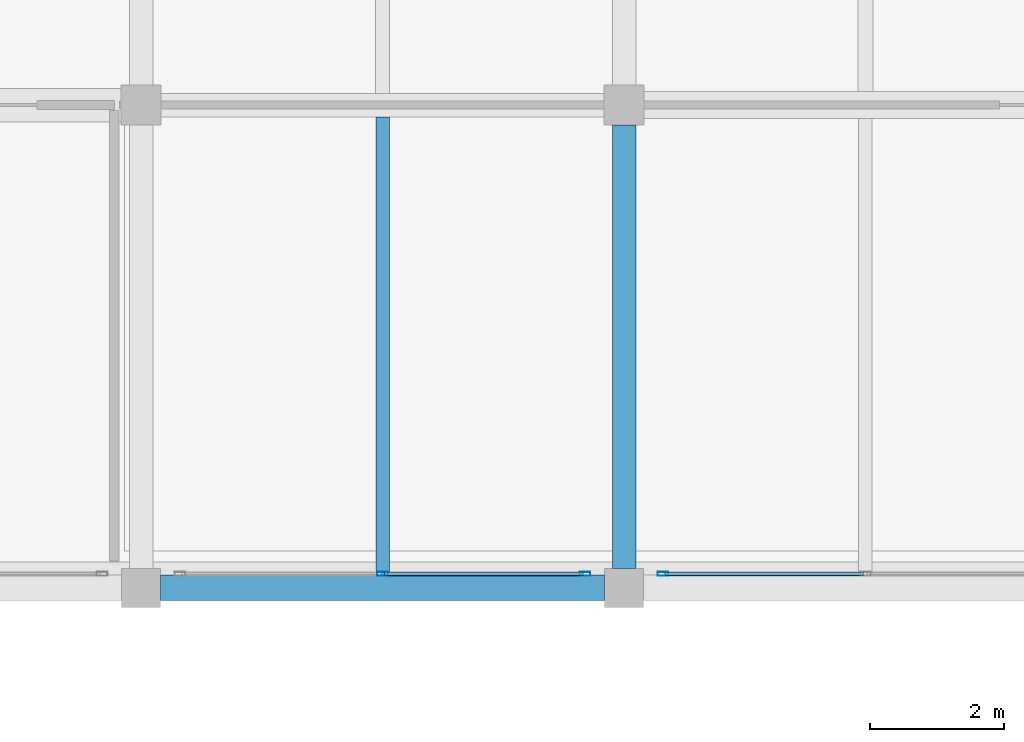
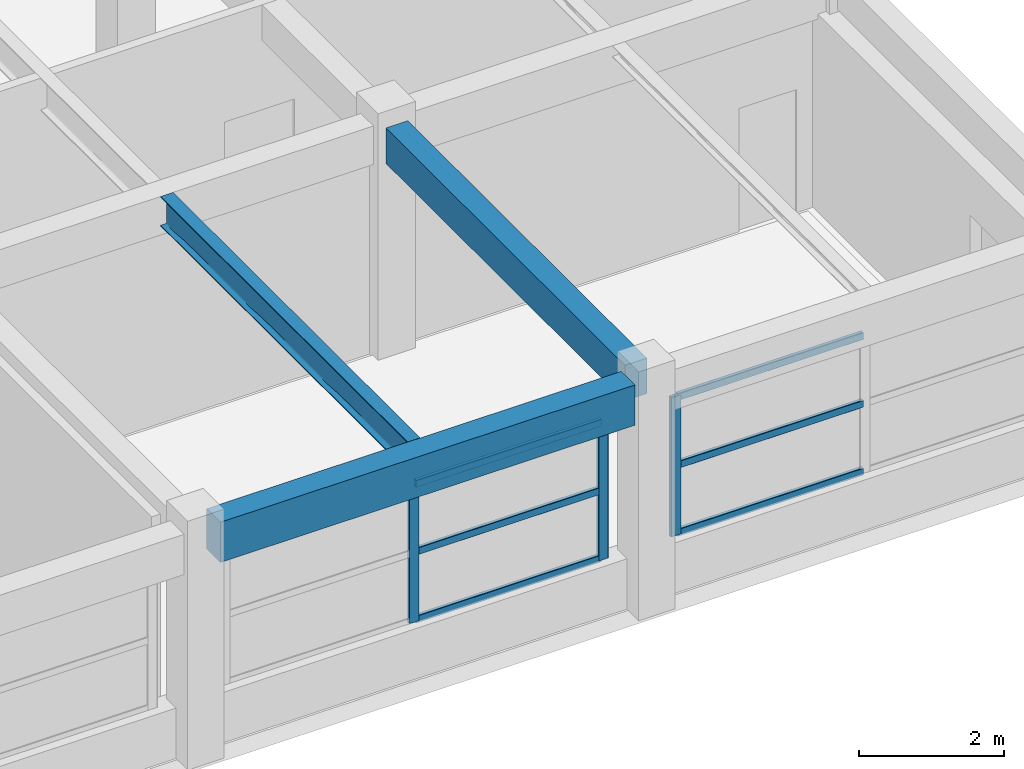
# One storey, part 12 of 49: 9 members, 3 beams, 2 elements without a shape of their own.
"""IFC4 building model written with IfcOpenShell, lengths in metres."""

import ifcopenshell
import ifcopenshell.guid

model = None  # the IFC model being written
_history = None  # IfcOwnerHistory: only IFC2X3 demands one
_inside = {}  # id of a spatial element -> (the spatial element, [elements in it])
_under = {}  # id of a project, library or spatial element -> (it, [spatial elements below it])
_declared = {}  # id of a project -> (the project, [libraries it declares])
_typed = {}  # id of a type object -> (the type object, [elements of that type])
_made_of = {}  # id of a material, layer set ... -> (it, [elements and type objects made of it])


def new_model(schema):
    """Start an empty IFC model of exactly this schema.

    Asked for "IFC4X3", IfcOpenShell would pick the latest addendum, in which some entities
    have other attributes; the version numbers below select the first issue.
    IFC2X3 requires an IfcOwnerHistory on every rooted entity: one is made here for all.
    """
    global model, _history
    if schema == "IFC4X3":
        model = ifcopenshell.file(schema_version=(4, 3, 0, 0))
    else:
        model = ifcopenshell.file(schema=schema)
    _inside.clear()
    _under.clear()
    _declared.clear()
    _typed.clear()
    _made_of.clear()
    _history = None
    if model.schema == "IFC2X3":
        org = make("IfcOrganization", Name="unknown")
        user = make(
            "IfcPersonAndOrganization",
            ThePerson=make("IfcPerson", FamilyName="unknown"),
            TheOrganization=org,
        )
        app = make(
            "IfcApplication",
            ApplicationDeveloper=org,
            Version="unknown",
            ApplicationFullName="unknown",
            ApplicationIdentifier="unknown",
        )
        _history = make(
            "IfcOwnerHistory",
            OwningUser=user,
            OwningApplication=app,
            ChangeAction="ADDED",
            CreationDate=0,
        )
    return model


def make(cls, **values):
    """One entity of the class cls with the attributes given. An attribute that is None is left unset."""
    return model.create_entity(
        cls, **{name: value for name, value in values.items() if value is not None}
    )


def rooted(cls, **values):
    """An entity with a GlobalId (a new one), such as an element, a storey or a relation."""
    return make(cls, GlobalId=ifcopenshell.guid.new(), OwnerHistory=_history, **values)


def si_unit(unit_type, name, prefix=None):
    """IfcSIUnit, for example si_unit("LENGTHUNIT", "METRE", prefix="MILLI")."""
    return make("IfcSIUnit", UnitType=unit_type, Prefix=prefix, Name=name)


def assignment(units):
    """IfcUnitAssignment: the units of a project."""
    return None if units is None else make("IfcUnitAssignment", Units=units)


def point(xyz):
    """IfcCartesianPoint."""
    return None if xyz is None else make("IfcCartesianPoint", Coordinates=xyz)


def direction(xyz):
    """IfcDirection."""
    return None if xyz is None else make("IfcDirection", DirectionRatios=xyz)


def frame(location, z_axis=None, x_axis=None):
    """IfcAxis2Placement3D, a coordinate frame: its origin and axes. An axis left out is left unset."""
    return make(
        "IfcAxis2Placement3D",
        Location=point(location),
        Axis=direction(z_axis),
        RefDirection=direction(x_axis),
    )


def frame_2d(location, x_axis=None):
    """IfcAxis2Placement2D, a coordinate frame in the plane: its origin and x axis."""
    return make(
        "IfcAxis2Placement2D", Location=point(location), RefDirection=direction(x_axis)
    )


def origin():
    """The frame at (0, 0, 0) with its axes left unset."""
    return frame((0.0, 0.0, 0.0))


def origin_2d():
    """The frame at (0, 0) in the plane with its x axis left unset."""
    return frame_2d((0.0, 0.0))


def place(relative_to, where):
    """IfcLocalPlacement: puts the frame where relative to a parent placement (None: the world)."""
    return make(
        "IfcLocalPlacement", PlacementRelTo=relative_to, RelativePlacement=where
    )


def context(
    kind, dimensions, precision=None, world=None, true_north=None, identifier=None
):
    """IfcGeometricRepresentationContext, for example the 3D "Model" context."""
    return make(
        "IfcGeometricRepresentationContext",
        ContextIdentifier=identifier,
        ContextType=kind,
        CoordinateSpaceDimension=dimensions,
        Precision=precision,
        WorldCoordinateSystem=world,
        TrueNorth=true_north,
    )


def subcontext(parent, identifier, kind, view, scale=None):
    """IfcGeometricRepresentationSubContext, for example "Body" below "Model"."""
    return make(
        "IfcGeometricRepresentationSubContext",
        ContextIdentifier=identifier,
        ContextType=kind,
        ParentContext=parent,
        TargetScale=scale,
        TargetView=view,
    )


def project(units=None, contexts=None):
    """IfcProject with its units and contexts."""
    return rooted(
        "IfcProject",
        Name="project",
        RepresentationContexts=contexts,
        UnitsInContext=assignment(units),
    )


def spatial(cls, under=None, at=None, **own):
    """A site, building, storey or space (cls), placed at a placement, below another one or the project."""
    s = rooted(cls, ObjectPlacement=at, **own)
    if under is not None:
        _under.setdefault(under.id(), (under, []))[1].append(s)
    return s


def profile(cls, at=None, kind="AREA", **sizes):
    """A parametric profile (cls). Its sizes go by their IFC names, for example OverallWidth=200.0."""
    return make(cls, ProfileType=kind, Position=at, **sizes)


def rectangle(**sizes):
    """IfcRectangleProfileDef."""
    return profile("IfcRectangleProfileDef", **sizes)


def hollow_rectangle(**sizes):
    """IfcRectangleHollowProfileDef."""
    return profile("IfcRectangleHollowProfileDef", **sizes)


def i_section(**sizes):
    """IfcIShapeProfileDef."""
    return profile("IfcIShapeProfileDef", **sizes)


def extrude(swept, where, along, depth):
    """IfcExtrudedAreaSolid: the profile swept, set in the frame where, extruded along a direction by depth."""
    return make(
        "IfcExtrudedAreaSolid",
        SweptArea=swept,
        Position=where,
        ExtrudedDirection=direction(along),
        Depth=depth,
    )


def shape(context_of_items, identifier, shape_type, items):
    """IfcShapeRepresentation: the items that make up one representation, for example the "Body"."""
    return make(
        "IfcShapeRepresentation",
        ContextOfItems=context_of_items,
        RepresentationIdentifier=identifier,
        RepresentationType=shape_type,
        Items=items,
    )


def material(Name=None, Category=None):
    """IfcMaterial."""
    return make("IfcMaterial", Name=Name, Category=Category)


def material_profile(
    of_material, cross_section, Name=None, Category=None, Priority=None
):
    """IfcMaterialProfile: a cross section and its material."""
    return make(
        "IfcMaterialProfile",
        Name=Name,
        Material=of_material,
        Profile=cross_section,
        Priority=Priority,
        Category=Category,
    )


def profile_set(profiles, Name=None, composite=None):
    """IfcMaterialProfileSet."""
    return make(
        "IfcMaterialProfileSet",
        Name=Name,
        MaterialProfiles=profiles,
        CompositeProfile=composite,
    )


def made_of(thing, what):
    """Note that an element or type object is made of a material, layer set ...; save() writes the relation."""
    if what is not None:
        _made_of.setdefault(what.id(), (what, []))[1].append(thing)
    return thing


def type_object(cls, material=None, **own):
    """A type object (cls), such as IfcWallType, which elements share."""
    return made_of(rooted(cls, **own), material)


def element(
    cls,
    number,
    at=None,
    inside=None,
    cuts=None,
    type_object=None,
    material=None,
    context=None,
    identifier="Body",
    shape_type=None,
    held_by="IfcProductDefinitionShape",
    body=None,
    shapes=None,
    **own,
):
    """One element of the class cls, such as IfcWall. Its Tag is "e" and its number.

    at: its placement. inside: the storey or other place that contains it. cuts: it is an
    opening in that element (IfcRelVoidsElement). A single representation is given by context,
    identifier, shape_type and body (its items); several are given by shapes. held_by: the class
    of the entity that holds the representations. save() writes the other relations.
    """
    e = rooted(cls, Tag="e%d" % number, ObjectPlacement=at, **own)
    if body is not None:
        shapes = [shape(context, identifier, shape_type, body)]
    if shapes is not None:
        e.Representation = make(held_by, Representations=shapes)
    if inside is not None:
        _inside.setdefault(inside.id(), (inside, []))[1].append(e)
    if cuts is not None:
        rooted(
            "IfcRelVoidsElement", RelatingBuildingElement=cuts, RelatedOpeningElement=e
        )
    if type_object is not None:
        _typed.setdefault(type_object.id(), (type_object, []))[1].append(e)
    return made_of(e, material)


def aggregate(whole, parts):
    """IfcRelAggregates: a whole, such as a stair, and the parts it consists of."""
    return rooted("IfcRelAggregates", RelatingObject=whole, RelatedObjects=parts)


def save(model, path):
    """Write the relations noted so far, then the file.

    IfcRelAggregates (storeys below a building ...), IfcRelContainedInSpatialStructure (elements
    in a storey), IfcRelDefinesByType, IfcRelAssociatesMaterial and IfcRelDeclares: one each for
    every whole, place, type object, material and project.
    """
    for whole, parts in _under.values():
        aggregate(whole, parts)
    for where, things in _inside.values():
        rooted(
            "IfcRelContainedInSpatialStructure",
            RelatedElements=things,
            RelatingStructure=where,
        )
    for kind, things in _typed.values():
        rooted("IfcRelDefinesByType", RelatedObjects=things, RelatingType=kind)
    for what, things in _made_of.values():
        rooted("IfcRelAssociatesMaterial", RelatedObjects=things, RelatingMaterial=what)
    for by, libraries in _declared.values():
        rooted("IfcRelDeclares", RelatingContext=by, RelatedDefinitions=libraries)
    model.write(path)


model = new_model("IFC4")

# Units and contexts
model_context = context("Model", 3, precision=1e-05, world=origin(), true_north=direction((0.0, 1.0)))
body_context = subcontext(model_context, "Body", "Model", "MODEL_VIEW")
ifc_project = project(units=[si_unit("LENGTHUNIT", "METRE"), si_unit("AREAUNIT", "SQUARE_METRE"), si_unit("VOLUMEUNIT", "CUBIC_METRE"), si_unit("PLANEANGLEUNIT", "RADIAN"), si_unit("MASSUNIT", "GRAM", prefix="KILO")], contexts=[model_context])

# Site, building, storey
site_placement = place(None, origin())
site = spatial("IfcSite", under=ifc_project, at=site_placement, CompositionType="ELEMENT")
building_placement = place(site_placement, origin())
building = spatial("IfcBuilding", under=site, at=building_placement, Name="Bramveld Media Centre", CompositionType="ELEMENT")
storey_placement = place(building_placement, frame((0.0, 0.0, 9.60009765625)))
storey = spatial("IfcBuildingStorey", under=building, at=storey_placement, Name="L02", CompositionType="ELEMENT", Elevation=9.60009765625)

# Beam
ifc_material_1 = material(Name="Concrete C40/50", Category="concrete")
ifc_material_profile_1 = material_profile(ifc_material_1, rectangle(XDim=0.35009765625, YDim=0.60009765625, at=origin_2d()), Name="RC 350x600")
ifc_profile_set_1 = profile_set([ifc_material_profile_1], Name="Concrete C40/50")
beam_type_1 = type_object("IfcBeamType", Name="BM-INT-RC-350x600", PredefinedType="BEAM", material=ifc_profile_set_1)
beam_1_placement = place(storey_placement, frame((101.60009765625, 90.68994140625, 3.619873046875), z_axis=(0.0, 1.0, 0.0), x_axis=(-1.0, 0.0, 0.0)))
element("IfcBeam", 1, at=beam_1_placement, inside=storey, type_object=beam_type_1, Name="V6 L02 girder Y-1108", PredefinedType="BEAM", context=body_context, shape_type="SweptSolid", body=[
    extrude(rectangle(XDim=0.35009765625, YDim=0.60009765625, at=origin_2d()), origin(), (0.0, 0.0, 1.0), 6.610107421875),
])

# Curtain wall, members
ifc_material_2 = material(Name="Thermally broken anodized bronze aluminium unitized curtain wall with solar-control triple glazing", Category="aluminium")
curtain_wall_type = type_object("IfcCurtainWallType", Name="CW-FACV6-6100x2350", PredefinedType="NOTDEFINED", material=ifc_material_2)
curtain_wall_1_placement = place(storey_placement, origin())
curtain_wall_1 = element("IfcCurtainWall", 2, at=curtain_wall_1_placement, inside=storey, type_object=curtain_wall_type, Name="V6 L02 S curtain wall bay 5", PredefinedType="NOTDEFINED")
ifc_material_3 = material(Name="Thermally broken anodized bronze aluminium EN AW-6063 T6 curtain-wall framing", Category="aluminium")
ifc_material_profile_2 = material_profile(ifc_material_3, hollow_rectangle(XDim=0.06005859375, YDim=0.159912109375, WallThickness=0.00390625, InnerFilletRadius=0.00390625, OuterFilletRadius=0.008056640625, at=origin_2d()), Name="AL-MULL 60x160")
ifc_profile_set_2 = profile_set([ifc_material_profile_2], Name="Thermally broken anodized bronze aluminium EN AW-6063 T6 curtain-wall framing")
member_type_1 = type_object("IfcMemberType", Name="CW-MULL-EXT", PredefinedType="MULLION", material=ifc_profile_set_2)
member_1_placement = place(storey_placement, frame((98.0, 90.610107421875, 0.849853515625), z_axis=(0.0, 0.0, 1.0), x_axis=(0.0, 1.0, 0.0)))
member_1 = element("IfcMember", 3, at=member_1_placement, type_object=member_type_1, Name="CW-FA-6123 mullion 2", PredefinedType="MULLION", context=body_context, shape_type="SweptSolid", body=[
    extrude(hollow_rectangle(XDim=0.06005859375, YDim=0.159912109375, WallThickness=0.00390625, InnerFilletRadius=0.00390625, OuterFilletRadius=0.008056640625, at=origin_2d()), origin(), (0.0, 0.0, 1.0), 2.35009765625),
])
member_2_placement = place(storey_placement, frame((101.02001953125, 90.610107421875, 0.849853515625), z_axis=(0.0, 0.0, 1.0), x_axis=(0.0, 1.0, 0.0)))
member_2 = element("IfcMember", 4, at=member_2_placement, type_object=member_type_1, Name="CW-FA-6123 mullion 3", PredefinedType="MULLION", context=body_context, shape_type="SweptSolid", body=[
    extrude(hollow_rectangle(XDim=0.06005859375, YDim=0.159912109375, WallThickness=0.00390625, InnerFilletRadius=0.00390625, OuterFilletRadius=0.008056640625, at=origin_2d()), origin(), (0.0, 0.0, 1.0), 2.35009765625),
])

# Curtain wall, member
curtain_wall_2_placement = place(storey_placement, origin())
curtain_wall_2 = element("IfcCurtainWall", 5, at=curtain_wall_2_placement, inside=storey, type_object=curtain_wall_type, Name="V6 L02 S curtain wall bay 6", PredefinedType="NOTDEFINED")
member_3_placement = place(storey_placement, frame((102.179931640625, 90.610107421875, 0.849853515625), z_axis=(0.0, 0.0, 1.0), x_axis=(0.0, 1.0, 0.0)))
member_3 = element("IfcMember", 6, at=member_3_placement, type_object=member_type_1, Name="CW-FA-6123 mullion 1", PredefinedType="MULLION", context=body_context, shape_type="SweptSolid", body=[
    extrude(hollow_rectangle(XDim=0.06005859375, YDim=0.159912109375, WallThickness=0.00390625, InnerFilletRadius=0.00390625, OuterFilletRadius=0.008056640625, at=origin_2d()), origin(), (0.0, 0.0, 1.0), 2.35009765625),
])

# Member
ifc_material_4 = material(Name="Thermally broken anodized bronze aluminium EN AW-6063 T6 curtain-wall framing", Category="aluminium")
ifc_material_profile_3 = material_profile(ifc_material_4, hollow_rectangle(XDim=0.06005859375, YDim=0.1201171875, WallThickness=0.00341796875, InnerFilletRadius=0.00341796875, OuterFilletRadius=0.007080078125, at=origin_2d()), Name="AL-TRAN 60x120")
ifc_profile_set_3 = profile_set([ifc_material_profile_3], Name="Thermally broken anodized bronze aluminium EN AW-6063 T6 curtain-wall framing")
member_type_2 = type_object("IfcMemberType", Name="CW-TRAN-EXT", PredefinedType="USERDEFINED", material=ifc_profile_set_3)
member_4_placement = place(storey_placement, frame((98.030029296875, 90.610107421875, 0.8798828125), z_axis=(1.0, 0.0, 0.0), x_axis=(0.0, 1.0, 0.0)))
member_4 = element("IfcMember", 7, at=member_4_placement, type_object=member_type_2, Name="CW-FA-6123 transom 2.1", ObjectType="TRANSOM", PredefinedType="USERDEFINED", context=body_context, shape_type="SweptSolid", body=[
    extrude(hollow_rectangle(XDim=0.06005859375, YDim=0.1201171875, WallThickness=0.00341796875, InnerFilletRadius=0.00341796875, OuterFilletRadius=0.007080078125, at=origin_2d()), origin(), (0.0, 0.0, 1.0), 2.9599609375),
])

member_5_placement = place(storey_placement, frame((98.030029296875, 90.610107421875, 2.02490234375), z_axis=(1.0, 0.0, 0.0), x_axis=(0.0, 1.0, 0.0)))
member_5 = element("IfcMember", 8, at=member_5_placement, type_object=member_type_2, Name="CW-FA-6123 transom 2.2", ObjectType="TRANSOM", PredefinedType="USERDEFINED", context=body_context, shape_type="SweptSolid", body=[
    extrude(hollow_rectangle(XDim=0.06005859375, YDim=0.1201171875, WallThickness=0.00341796875, InnerFilletRadius=0.00341796875, OuterFilletRadius=0.007080078125, at=origin_2d()), origin(), (0.0, 0.0, 1.0), 2.9599609375),
])

member_6_placement = place(storey_placement, frame((98.030029296875, 90.610107421875, 3.169921875), z_axis=(1.0, 0.0, 0.0), x_axis=(0.0, 1.0, 0.0)))
member_6 = element("IfcMember", 9, at=member_6_placement, type_object=member_type_2, Name="CW-FA-6123 transom 2.3", ObjectType="TRANSOM", PredefinedType="USERDEFINED", context=body_context, shape_type="SweptSolid", body=[
    extrude(hollow_rectangle(XDim=0.06005859375, YDim=0.1201171875, WallThickness=0.00341796875, InnerFilletRadius=0.00341796875, OuterFilletRadius=0.007080078125, at=origin_2d()), origin(), (0.0, 0.0, 1.0), 2.9599609375),
])

aggregate(curtain_wall_1, [member_1, member_2, member_4, member_5, member_6])

member_7_placement = place(storey_placement, frame((102.2099609375, 90.610107421875, 0.8798828125), z_axis=(1.0, 0.0, 0.0), x_axis=(0.0, 1.0, 0.0)))
member_7 = element("IfcMember", 10, at=member_7_placement, type_object=member_type_2, Name="CW-FA-6123 transom 1.1", ObjectType="TRANSOM", PredefinedType="USERDEFINED", context=body_context, shape_type="SweptSolid", body=[
    extrude(hollow_rectangle(XDim=0.06005859375, YDim=0.1201171875, WallThickness=0.00341796875, InnerFilletRadius=0.00341796875, OuterFilletRadius=0.007080078125, at=origin_2d()), origin(), (0.0, 0.0, 1.0), 2.9599609375),
])

member_8_placement = place(storey_placement, frame((102.2099609375, 90.610107421875, 2.02490234375), z_axis=(1.0, 0.0, 0.0), x_axis=(0.0, 1.0, 0.0)))
member_8 = element("IfcMember", 11, at=member_8_placement, type_object=member_type_2, Name="CW-FA-6123 transom 1.2", ObjectType="TRANSOM", PredefinedType="USERDEFINED", context=body_context, shape_type="SweptSolid", body=[
    extrude(hollow_rectangle(XDim=0.06005859375, YDim=0.1201171875, WallThickness=0.00341796875, InnerFilletRadius=0.00341796875, OuterFilletRadius=0.007080078125, at=origin_2d()), origin(), (0.0, 0.0, 1.0), 2.9599609375),
])

member_9_placement = place(storey_placement, frame((102.2099609375, 90.610107421875, 3.169921875), z_axis=(1.0, 0.0, 0.0), x_axis=(0.0, 1.0, 0.0)))
member_9 = element("IfcMember", 12, at=member_9_placement, type_object=member_type_2, Name="CW-FA-6123 transom 1.3", ObjectType="TRANSOM", PredefinedType="USERDEFINED", context=body_context, shape_type="SweptSolid", body=[
    extrude(hollow_rectangle(XDim=0.06005859375, YDim=0.1201171875, WallThickness=0.00341796875, InnerFilletRadius=0.00341796875, OuterFilletRadius=0.007080078125, at=origin_2d()), origin(), (0.0, 0.0, 1.0), 2.9599609375),
])

aggregate(curtain_wall_2, [member_3, member_7, member_8, member_9])

# Beams
ifc_material_5 = material(Name="Steel S355J2", Category="steel")
ifc_material_profile_4 = material_profile(ifc_material_5, i_section(OverallWidth=0.199951171875, OverallDepth=0.5, WebThickness=0.01025390625, FlangeThickness=0.01611328125, FilletRadius=0.02099609375, at=origin_2d()), Name="IPE 500")
ifc_profile_set_4 = profile_set([ifc_material_profile_4], Name="Steel S355J2")
beam_type_2 = type_object("IfcBeamType", Name="SBM-INT-IPE-500", PredefinedType="BEAM", material=ifc_profile_set_4)
beam_2_placement = place(storey_placement, frame((98.0, 90.590087890625, 3.669921875), z_axis=(0.0, 1.0, 0.0), x_axis=(-1.0, 0.0, 0.0)))
element("IfcBeam", 13, at=beam_2_placement, inside=storey, type_object=beam_type_2, Name="V6 L02 secondary floor joist 1126", PredefinedType="BEAM", context=body_context, shape_type="SweptSolid", body=[
    extrude(i_section(OverallWidth=0.199951171875, OverallDepth=0.5, WebThickness=0.01025390625, FlangeThickness=0.01611328125, FilletRadius=0.02099609375, at=origin_2d()), origin(), (0.0, 0.0, 1.0), 6.8349609375),
])
ifc_material_6 = material(Name="Concrete C40/50", Category="concrete")
ifc_material_profile_5 = material_profile(ifc_material_6, rectangle(XDim=0.3798828125, YDim=0.679931640625, at=origin_2d()), Name="RC 380x680")
ifc_profile_set_5 = profile_set([ifc_material_profile_5], Name="Concrete C40/50")
beam_type_3 = type_object("IfcBeamType", Name="SPANDREL-EXT-RC-380x680", PredefinedType="SPANDREL", material=ifc_profile_set_5)
beam_3_placement = place(storey_placement, frame((94.68994140625, 90.39990234375, 3.579833984375), z_axis=(1.0, 0.0, 0.0), x_axis=(0.0, 1.0, 0.0)))
element("IfcBeam", 14, at=beam_3_placement, inside=storey, type_object=beam_type_3, Name="V6 L02 girder X-1068", PredefinedType="SPANDREL", context=body_context, shape_type="SweptSolid", body=[
    extrude(rectangle(XDim=0.3798828125, YDim=0.679931640625, at=origin_2d()), origin(), (0.0, 0.0, 1.0), 6.6201171875),
])

save(model, "model.ifc")
